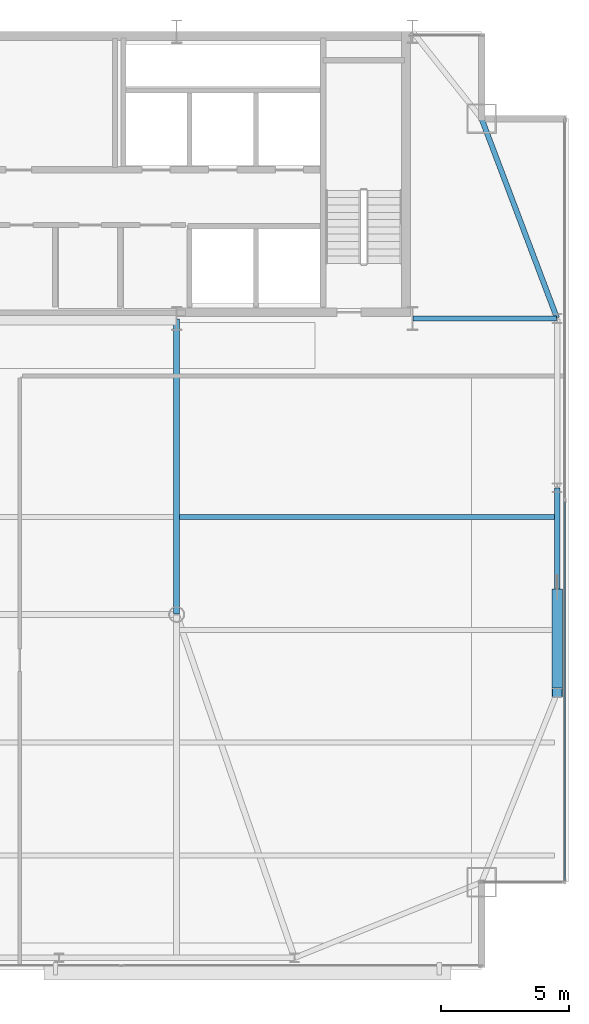
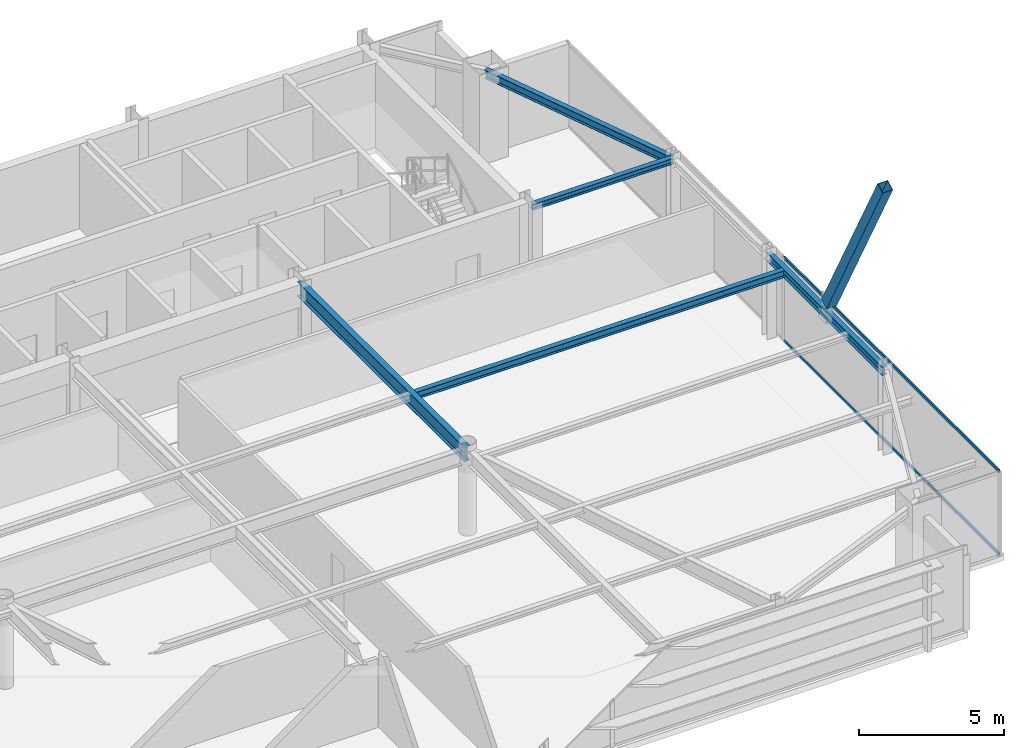
# One storey, part 15 of 27: 5 beams, 3 members, 1 element without a shape of its own.
"""IFC4 building model written with IfcOpenShell, lengths in metres."""

from ifc_helpers import new_model, si_unit, direction, frame, origin, origin_2d, place, context, subcontext, project, spatial, hollow_rectangle, i_section, extrude, source, transform, mapped, material, layer, layer_set, material_profile, profile_set, type_object, type_shapes, element, aggregate, save


model = new_model("IFC4")

# Units and contexts
model_context = context("Model", 3, precision=1e-05, world=origin(), true_north=direction((0.0, 1.0)))
body_context = subcontext(model_context, "Body", "Model", "MODEL_VIEW")
ifc_project = project(units=[si_unit("LENGTHUNIT", "METRE"), si_unit("AREAUNIT", "SQUARE_METRE"), si_unit("VOLUMEUNIT", "CUBIC_METRE"), si_unit("PLANEANGLEUNIT", "RADIAN"), si_unit("MASSUNIT", "GRAM", prefix="KILO")], contexts=[model_context])

# Site, building, storey
site_placement = place(None, origin())
site = spatial("IfcSite", under=ifc_project, at=site_placement, CompositionType="ELEMENT")
building_placement = place(site_placement, origin())
building = spatial("IfcBuilding", under=site, at=building_placement, Name="Varnel Quay Broadcast Tower", CompositionType="ELEMENT")
storey_placement = place(building_placement, frame((0.0, 0.0, 243.199951171875)))
storey = spatial("IfcBuildingStorey", under=building, at=storey_placement, Name="L60", CompositionType="ELEMENT", Elevation=243.199951171875)

# Beams
ifc_material_1 = material(Name="Structural Steel CSA G40.21 350W", Category="steel")
ifc_material_profile_1 = material_profile(ifc_material_1, i_section(OverallWidth=0.205078125, OverallDepth=0.35400390625, WebThickness=0.009521484375, FlangeThickness=0.016845703125, FilletRadius=0.012939453125, at=origin_2d()), Name="W360X79")
ifc_profile_set_1 = profile_set([ifc_material_profile_1], Name="Structural Steel CSA G40.21 350W")
beam_type_1 = type_object("IfcBeamType", Name="Beam_W360X79", PredefinedType="SPANDREL", material=ifc_profile_set_1)
shared_shape_1 = source(origin(), body_context, "Body", "SweptSolid", [
    extrude(i_section(OverallWidth=0.205078125, OverallDepth=0.35400390625, WebThickness=0.009521484375, FlangeThickness=0.016845703125, FilletRadius=0.012939453125, at=origin_2d()), origin(), (0.0, 0.0, 1.0), 7.9599609375),
])
beam_1_placement = place(storey_placement, frame((58.050048828125, 21.02001953125, 3.373046875), z_axis=(0.0, 1.0, 0.0), x_axis=(-1.0, 0.0, 0.0)))
element("IfcBeam", 1, at=beam_1_placement, inside=storey, type_object=beam_type_1, Name="L60 East Spandrel TC-E1-TC-E2", PredefinedType="SPANDREL", context=body_context, shape_type="MappedRepresentation", body=[
    mapped(shared_shape_1, transform((0.0, 0.0, 0.0), x_axis=(1.0, 0.0, 0.0), y_axis=(0.0, 1.0, 0.0), z_axis=(0.0, 0.0, 1.0), scale=1.0)),
])
shared_shape_2 = source(origin(), body_context, "Body", "SweptSolid", [
    extrude(i_section(OverallWidth=0.205078125, OverallDepth=0.35400390625, WebThickness=0.009521484375, FlangeThickness=0.016845703125, FilletRadius=0.012939453125, at=origin_2d()), origin(), (0.0, 0.0, 1.0), 8.29931640625),
])
type_shapes(beam_type_1, [shared_shape_1, shared_shape_2])
beam_2_placement = place(storey_placement, frame((58.04296875, 35.61865234375, 3.373046875), z_axis=(-0.353739782058, 0.935343876117, 0.0), x_axis=(-0.935343876117, -0.353739782058, 0.0)))
element("IfcBeam", 2, at=beam_2_placement, inside=storey, type_object=beam_type_1, Name="L60 East Spandrel TC-E3-MC-NE", PredefinedType="SPANDREL", context=body_context, shape_type="MappedRepresentation", body=[
    mapped(shared_shape_2, transform((0.0, 0.0, 0.0), x_axis=(1.0, 0.0, 0.0), y_axis=(0.0, 1.0, 0.0), z_axis=(0.0, 0.0, 1.0), scale=1.0)),
])
ifc_material_profile_2 = material_profile(ifc_material_1, i_section(OverallWidth=0.22998046875, OverallDepth=0.616943359375, WebThickness=0.01318359375, FlangeThickness=0.022216796875, FilletRadius=0.01611328125, at=origin_2d()), Name="W610X140")
ifc_profile_set_2 = profile_set([ifc_material_profile_2], Name="Structural Steel CSA G40.21 350W")
beam_type_2 = type_object("IfcBeamType", Name="Girder_W610X140", PredefinedType="BEAM", material=ifc_profile_set_2)
shared_shape_3 = source(origin(), body_context, "Body", "SweptSolid", [
    extrude(i_section(OverallWidth=0.22998046875, OverallDepth=0.616943359375, WebThickness=0.01318359375, FlangeThickness=0.022216796875, FilletRadius=0.01611328125, at=origin_2d()), origin(), (0.0, 0.0, 1.0), 11.510009765625),
])
type_shapes(beam_type_2, [shared_shape_3])
beam_3_placement = place(storey_placement, frame((43.199951171875, 24.070068359375, 3.241455078125), z_axis=(0.0, 1.0, 0.0), x_axis=(-1.0, 0.0, 0.0)))
element("IfcBeam", 3, at=beam_3_placement, inside=storey, type_object=beam_type_2, Name="L60 Primary Girder IC-02-CC-S4", PredefinedType="BEAM", context=body_context, shape_type="MappedRepresentation", body=[
    mapped(shared_shape_3, transform((0.0, 0.0, 0.0), x_axis=(1.0, 0.0, 0.0), y_axis=(0.0, 1.0, 0.0), z_axis=(0.0, 0.0, 1.0), scale=1.0)),
])
ifc_material_profile_3 = material_profile(ifc_material_1, i_section(OverallWidth=0.201904296875, OverallDepth=0.2470703125, WebThickness=0.00732421875, FlangeThickness=0.010986328125, FilletRadius=0.010986328125, at=origin_2d()), Name="W250X49")
ifc_profile_set_3 = profile_set([ifc_material_profile_3], Name="Structural Steel CSA G40.21 350W")
beam_type_3 = type_object("IfcBeamType", Name="Beam_W250X49", PredefinedType="JOIST", material=ifc_profile_set_3)
shared_shape_4 = source(origin(), body_context, "Body", "SweptSolid", [
    extrude(i_section(OverallWidth=0.201904296875, OverallDepth=0.2470703125, WebThickness=0.00732421875, FlangeThickness=0.010986328125, FilletRadius=0.010986328125, at=origin_2d()), origin(), (0.0, 0.0, 1.0), 5.610107421875),
])
type_shapes(beam_type_3, [shared_shape_4])
beam_4_placement = place(storey_placement, frame((52.419921875, 35.60009765625, 3.426513671875), z_axis=(1.0, 0.0, 0.0), x_axis=(0.0, 1.0, 0.0)))
element("IfcBeam", 4, at=beam_4_placement, inside=storey, type_object=beam_type_3, Name="L60 East Core Tie Joist", PredefinedType="JOIST", context=body_context, shape_type="MappedRepresentation", body=[
    mapped(shared_shape_4, transform((0.0, 0.0, 0.0), x_axis=(1.0, 0.0, 0.0), y_axis=(0.0, 1.0, 0.0), z_axis=(0.0, 0.0, 1.0), scale=1.0)),
])
ifc_material_profile_4 = material_profile(ifc_material_1, i_section(OverallWidth=0.202880859375, OverallDepth=0.302978515625, WebThickness=0.007568359375, FlangeThickness=0.01318359375, FilletRadius=0.011962890625, at=origin_2d()), Name="W310X60")
ifc_profile_set_4 = profile_set([ifc_material_profile_4], Name="Structural Steel CSA G40.21 350W")
beam_type_4 = type_object("IfcBeamType", Name="Beam_W310X60", PredefinedType="JOIST", material=ifc_profile_set_4)
shared_shape_5 = source(origin(), body_context, "Body", "SweptSolid", [
    extrude(i_section(OverallWidth=0.202880859375, OverallDepth=0.302978515625, WebThickness=0.007568359375, FlangeThickness=0.01318359375, FilletRadius=0.011962890625, at=origin_2d()), origin(), (0.0, 0.0, 1.0), 14.642333984375),
])
type_shapes(beam_type_4, [shared_shape_5])
beam_5_placement = place(storey_placement, frame((43.31005859375, 27.85009765625, 3.3984375), z_axis=(1.0, 0.0, 0.0), x_axis=(0.0, 1.0, 0.0)))
element("IfcBeam", 5, at=beam_5_placement, inside=storey, type_object=beam_type_4, Name="L60 East Floor Joist 4", PredefinedType="JOIST", context=body_context, shape_type="MappedRepresentation", body=[
    mapped(shared_shape_5, transform((0.0, 0.0, 0.0), x_axis=(1.0, 0.0, 0.0), y_axis=(0.0, 1.0, 0.0), z_axis=(0.0, 0.0, 1.0), scale=1.0)),
])

# Member
ifc_material_profile_5 = material_profile(ifc_material_1, hollow_rectangle(XDim=0.406005859375, YDim=0.406005859375, WallThickness=0.01611328125, at=origin_2d()), Name="HSS406X406X16")
ifc_profile_set_5 = profile_set([ifc_material_profile_5], Name="Structural Steel CSA G40.21 350W")
member_type_1 = type_object("IfcMemberType", Name="Brace_HSS406X406X16", PredefinedType="BRACE", material=ifc_profile_set_5)
shared_shape_6 = source(origin(), body_context, "Body", "SweptSolid", [
    extrude(hollow_rectangle(XDim=0.406005859375, YDim=0.406005859375, WallThickness=0.01611328125, at=origin_2d()), origin(), (0.0, 0.0, 1.0), 8.191650390625),
])
type_shapes(member_type_1, [shared_shape_6])
member_1_placement = place(storey_placement, frame((58.050048828125, 24.873046875, 3.911865234375), z_axis=(0.0, -0.47280190134, 0.881168747794), x_axis=(1.0, 0.0, 0.0)))
element("IfcMember", 6, at=member_1_placement, inside=storey, type_object=member_type_1, Name="Zone 4 Mega-Brace E-FT3 Split Diag B2", PredefinedType="BRACE", context=body_context, shape_type="MappedRepresentation", body=[
    mapped(shared_shape_6, transform((0.0, 0.0, 0.0), x_axis=(1.0, 0.0, 0.0), y_axis=(0.0, 1.0, 0.0), z_axis=(0.0, 0.0, 1.0), scale=1.0)),
])

# Curtain wall, members
ifc_material_2 = material(Name="Anodised Bronze Aluminium 6063-T6", Category="aluminium")
ifc_layer = layer(ifc_material_2, 0.18994140625, Name="Anodised Bronze Aluminium 6063-T6")
ifc_layer_set = layer_set([ifc_layer], Name="Anodised Bronze Aluminium 6063-T6")
curtain_wall_type = type_object("IfcCurtainWallType", Name="CW_UpperTower", PredefinedType="NOTDEFINED", material=ifc_layer_set)
curtain_wall_placement = place(storey_placement, origin())
curtain_wall = element("IfcCurtainWall", 7, at=curtain_wall_placement, inside=storey, type_object=curtain_wall_type, Name="L60 East Unitised Curtain Wall", PredefinedType="NOTDEFINED")
ifc_material_profile_6 = material_profile(ifc_material_2, hollow_rectangle(XDim=0.06005859375, YDim=0.125, WallThickness=0.0029296875, at=origin_2d()), Name="ALU60X125X3")
ifc_profile_set_6 = profile_set([ifc_material_profile_6], Name="Anodised Bronze Aluminium 6063-T6")
member_type_2 = type_object("IfcMemberType", Name="Tran_CWS-03", PredefinedType="USERDEFINED", material=ifc_profile_set_6)
shared_shape_7 = source(origin(), body_context, "Body", "SweptSolid", [
    extrude(hollow_rectangle(XDim=0.06005859375, YDim=0.125, WallThickness=0.0029296875, at=origin_2d()), origin(), (0.0, 0.0, 1.0), 14.802490234375),
])
type_shapes(member_type_2, [shared_shape_7])
member_2_placement = place(storey_placement, frame((58.35009765625, 13.6650390625, 0.030029296875), z_axis=(0.0, 1.0, 0.0), x_axis=(-1.0, 0.0, 0.0)))
member_2 = element("IfcMember", 8, at=member_2_placement, type_object=member_type_2, Name="CWS-03 transom 1.1", ObjectType="TRANSOM", PredefinedType="USERDEFINED", context=body_context, shape_type="MappedRepresentation", body=[
    mapped(shared_shape_7, transform((0.0, 0.0, 0.0), x_axis=(1.0, 0.0, 0.0), y_axis=(0.0, 1.0, 0.0), z_axis=(0.0, 0.0, 1.0), scale=1.0)),
])
member_3_placement = place(storey_placement, frame((58.35009765625, 13.6650390625, 3.52001953125), z_axis=(0.0, 1.0, 0.0), x_axis=(-1.0, 0.0, 0.0)))
member_3 = element("IfcMember", 9, at=member_3_placement, type_object=member_type_2, Name="CWS-03 transom 1.2", ObjectType="TRANSOM", PredefinedType="USERDEFINED", context=body_context, shape_type="MappedRepresentation", body=[
    mapped(shared_shape_7, transform((0.0, 0.0, 0.0), x_axis=(1.0, 0.0, 0.0), y_axis=(0.0, 1.0, 0.0), z_axis=(0.0, 0.0, 1.0), scale=1.0)),
])
aggregate(curtain_wall, [member_2, member_3])

save(model, "model.ifc")
